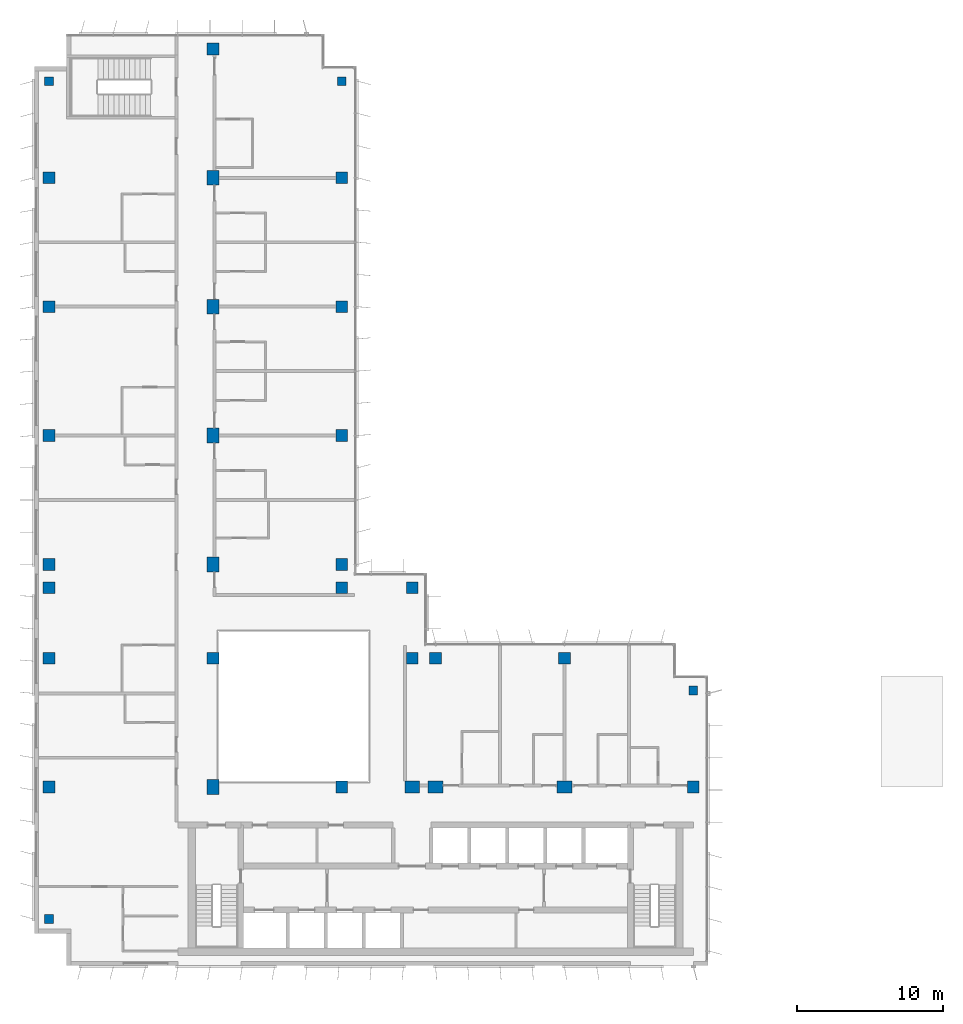
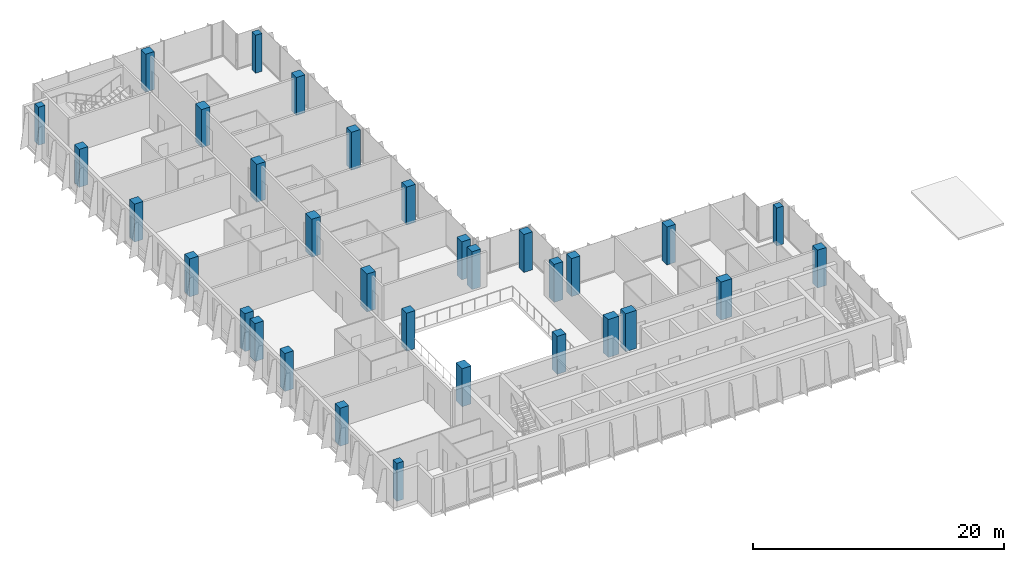
# One storey, part 1 of 17: 32 columns.
"""IFC4 building model written with IfcOpenShell, lengths in metres."""

from ifc_helpers import new_model, si_unit, direction, frame, origin, origin_2d, place, context, subcontext, project, spatial, rectangle, extrude, material, material_profile, profile_set, type_object, element, save


model = new_model("IFC4")

# Units and contexts
model_context = context("Model", 3, precision=1e-05, world=origin(), true_north=direction((0.0, 1.0)))
body_context = subcontext(model_context, "Body", "Model", "MODEL_VIEW")
ifc_project = project(units=[si_unit("LENGTHUNIT", "METRE"), si_unit("AREAUNIT", "SQUARE_METRE"), si_unit("VOLUMEUNIT", "CUBIC_METRE"), si_unit("PLANEANGLEUNIT", "RADIAN"), si_unit("MASSUNIT", "GRAM", prefix="KILO")], contexts=[model_context])

# Site, building, storey
site_placement = place(None, origin())
site = spatial("IfcSite", under=ifc_project, at=site_placement, CompositionType="ELEMENT")
building_placement = place(site_placement, origin())
building = spatial("IfcBuilding", under=site, at=building_placement, Name="Kemantara Hotel Tower", CompositionType="ELEMENT")
storey_placement = place(building_placement, frame((0.0, 0.0, 226.5)))
storey = spatial("IfcBuildingStorey", under=building, at=storey_placement, Name="L56", CompositionType="ELEMENT", Elevation=226.5)

# Columns
ifc_material = material(Name="Concrete fc 60 MPa", Category="concrete")
ifc_material_profile_1 = material_profile(ifc_material, rectangle(XDim=1.0, YDim=0.800048828125, at=origin_2d()), Name="RC 1000X800")
ifc_profile_set_1 = profile_set([ifc_material_profile_1], Name="Concrete fc 60 MPa")
column_type_1 = type_object("IfcColumnType", Name="RC COLUMN 1000X800 FC60", PredefinedType="COLUMN", material=ifc_profile_set_1)
for number, where, z_axis, x_axis, name in (
    (1, (12.199951171875, 12.199951171875, 0.0), (0.0, 0.0, 1.0), (0.0, 1.0, 0.0), "COLUMN 2A/BA L56"),
    (2, (12.199951171875, 27.39990234375, 0.0), (0.0, 0.0, 1.0), (0.0, 1.0, 0.0), "COLUMN 2A/D L56"),
    (3, (12.199951171875, 36.199951171875, 0.0), (0.0, 0.0, 1.0), (0.0, 1.0, 0.0), "COLUMN 2A/E L56"),
    (4, (12.199951171875, 45.0, 0.0), (0.0, 0.0, 1.0), (0.0, 1.0, 0.0), "COLUMN 2A/F L56"),
    (5, (12.199951171875, 53.800048828125, 0.0), (0.0, 0.0, 1.0), (0.0, 1.0, 0.0), "COLUMN 2A/G L56"),
    (6, (25.800048828125, 12.199951171875, 0.0), (0.0, 0.0, 1.0), (1.0, 0.0, 0.0), "COLUMN 3A/BA L56"),
    (7, (27.39990234375, 12.199951171875, 0.0), (0.0, 0.0, 1.0), (1.0, 0.0, 0.0), "COLUMN 4/BA L56"),
    (8, (36.199951171875, 12.199951171875, 0.0), (0.0, 0.0, 1.0), (1.0, 0.0, 0.0), "COLUMN 5/BA L56"),
):
    element("IfcColumn", number, at=place(storey_placement, frame(where, z_axis=z_axis, x_axis=x_axis)), inside=storey, type_object=column_type_1, Name=name, PredefinedType="COLUMN", context=body_context, shape_type="SweptSolid", body=[
        extrude(rectangle(XDim=1.0, YDim=0.800048828125, at=origin_2d()), origin(), (0.0, 0.0, 1.0), 3.699951171875),
    ])
ifc_material_profile_2 = material_profile(ifc_material, rectangle(XDim=0.60009765625, YDim=0.60009765625, at=origin_2d()), Name="RC 600X600")
ifc_profile_set_2 = profile_set([ifc_material_profile_2], Name="Concrete fc 60 MPa")
column_type_2 = type_object("IfcColumnType", Name="RC COLUMN 600X600 FC60", PredefinedType="COLUMN", material=ifc_profile_set_2)
for number, where, z_axis, x_axis, name in (
    (9, (1.0, 3.199951171875, 0.0), (0.0, 0.0, 1.0), (1.0, 0.0, 0.0), "COLUMN notch corner L56"),
    (10, (1.0, 60.39990234375, 0.0), (0.0, 0.0, 1.0), (1.0, 0.0, 0.0), "COLUMN notch corner L56"),
    (11, (21.0, 60.39990234375, 0.0), (0.0, 0.0, 1.0), (1.0, 0.0, 0.0), "COLUMN notch corner L56"),
    (12, (45.0, 18.800048828125, 0.0), (0.0, 0.0, 1.0), (1.0, 0.0, 0.0), "COLUMN notch corner L56"),
):
    element("IfcColumn", number, at=place(storey_placement, frame(where, z_axis=z_axis, x_axis=x_axis)), inside=storey, type_object=column_type_2, Name=name, PredefinedType="COLUMN", context=body_context, shape_type="SweptSolid", body=[
        extrude(rectangle(XDim=0.60009765625, YDim=0.60009765625, at=origin_2d()), origin(), (0.0, 0.0, 1.0), 3.699951171875),
    ])
ifc_material_profile_3 = material_profile(ifc_material, rectangle(XDim=0.800048828125, YDim=0.800048828125, at=origin_2d()), Name="RC 800X800")
ifc_profile_set_3 = profile_set([ifc_material_profile_3], Name="Concrete fc 60 MPa")
column_type_3 = type_object("IfcColumnType", Name="RC COLUMN 800X800 FC60", PredefinedType="COLUMN", material=ifc_profile_set_3)
for number, where, z_axis, x_axis, name in (
    (13, (1.0, 12.199951171875, 0.0), (0.0, 0.0, 1.0), (1.0, 0.0, 0.0), "COLUMN 1/BA L56"),
    (14, (1.0, 21.0, 0.0), (0.0, 0.0, 1.0), (1.0, 0.0, 0.0), "COLUMN 1/C L56"),
    (15, (1.0, 25.800048828125, 0.0), (0.0, 0.0, 1.0), (1.0, 0.0, 0.0), "COLUMN 1/CA L56"),
    (16, (1.0, 27.39990234375, 0.0), (0.0, 0.0, 1.0), (1.0, 0.0, 0.0), "COLUMN 1/D L56"),
    (17, (1.0, 36.199951171875, 0.0), (0.0, 0.0, 1.0), (1.0, 0.0, 0.0), "COLUMN 1/E L56"),
    (18, (1.0, 45.0, 0.0), (0.0, 0.0, 1.0), (1.0, 0.0, 0.0), "COLUMN 1/F L56"),
    (19, (1.0, 53.800048828125, 0.0), (0.0, 0.0, 1.0), (1.0, 0.0, 0.0), "COLUMN 1/G L56"),
    (20, (12.199951171875, 21.0, 0.0), (0.0, 0.0, 1.0), (1.0, 0.0, 0.0), "COLUMN 2A/C L56"),
    (21, (12.199951171875, 62.60009765625, 0.0), (0.0, 0.0, 1.0), (1.0, 0.0, 0.0), "COLUMN 2A/H L56"),
    (22, (21.0, 12.199951171875, 0.0), (0.0, 0.0, 1.0), (1.0, 0.0, 0.0), "COLUMN 3/BA L56"),
    (23, (21.0, 25.800048828125, 0.0), (0.0, 0.0, 1.0), (1.0, 0.0, 0.0), "COLUMN 3/CA L56"),
    (24, (21.0, 27.39990234375, 0.0), (0.0, 0.0, 1.0), (1.0, 0.0, 0.0), "COLUMN 3/D L56"),
    (25, (21.0, 36.199951171875, 0.0), (0.0, 0.0, 1.0), (1.0, 0.0, 0.0), "COLUMN 3/E L56"),
    (26, (21.0, 45.0, 0.0), (0.0, 0.0, 1.0), (1.0, 0.0, 0.0), "COLUMN 3/F L56"),
    (27, (21.0, 53.800048828125, 0.0), (0.0, 0.0, 1.0), (1.0, 0.0, 0.0), "COLUMN 3/G L56"),
    (28, (25.800048828125, 21.0, 0.0), (0.0, 0.0, 1.0), (1.0, 0.0, 0.0), "COLUMN 3A/C L56"),
    (29, (25.800048828125, 25.800048828125, 0.0), (0.0, 0.0, 1.0), (1.0, 0.0, 0.0), "COLUMN 3A/CA L56"),
    (30, (27.39990234375, 21.0, 0.0), (0.0, 0.0, 1.0), (1.0, 0.0, 0.0), "COLUMN 4/C L56"),
    (31, (36.199951171875, 21.0, 0.0), (0.0, 0.0, 1.0), (1.0, 0.0, 0.0), "COLUMN 5/C L56"),
    (32, (45.0, 12.199951171875, 0.0), (0.0, 0.0, 1.0), (1.0, 0.0, 0.0), "COLUMN 6/BA L56"),
):
    element("IfcColumn", number, at=place(storey_placement, frame(where, z_axis=z_axis, x_axis=x_axis)), inside=storey, type_object=column_type_3, Name=name, PredefinedType="COLUMN", context=body_context, shape_type="SweptSolid", body=[
        extrude(rectangle(XDim=0.800048828125, YDim=0.800048828125, at=origin_2d()), origin(), (0.0, 0.0, 1.0), 3.699951171875),
    ])

save(model, "model.ifc")
